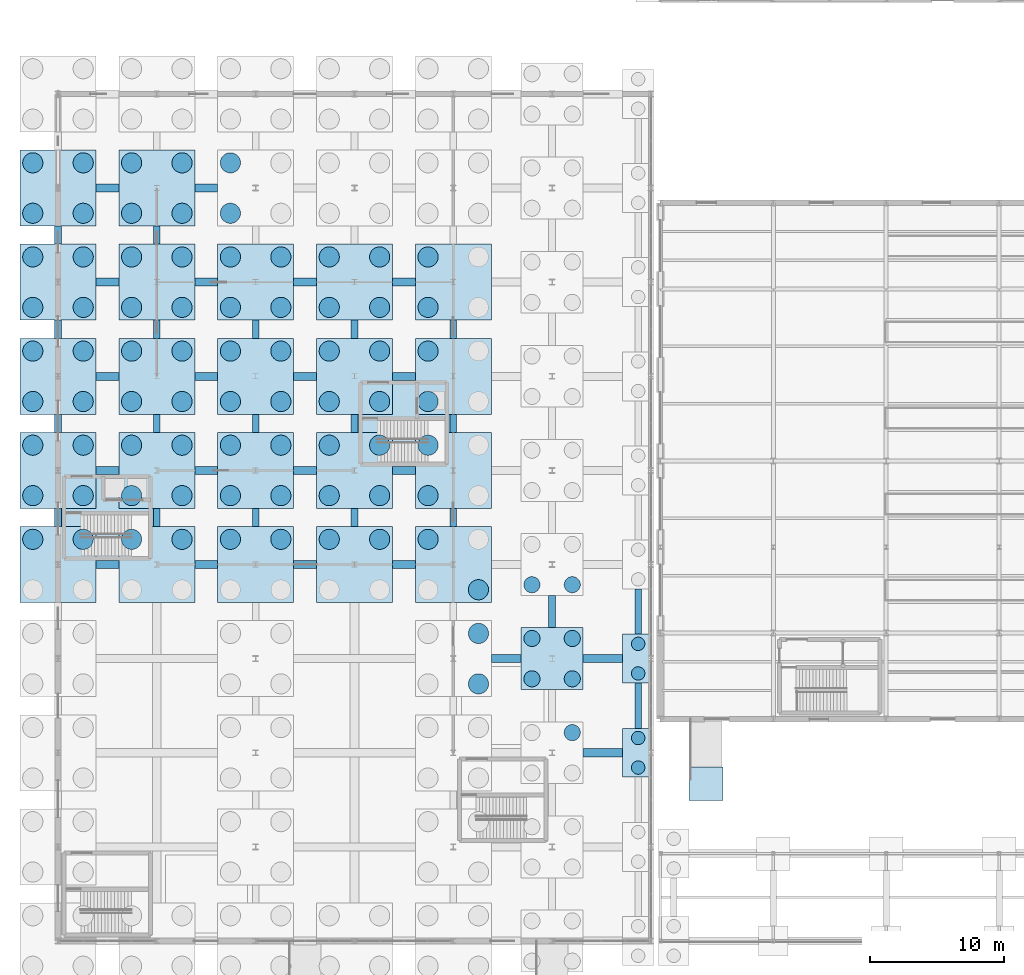
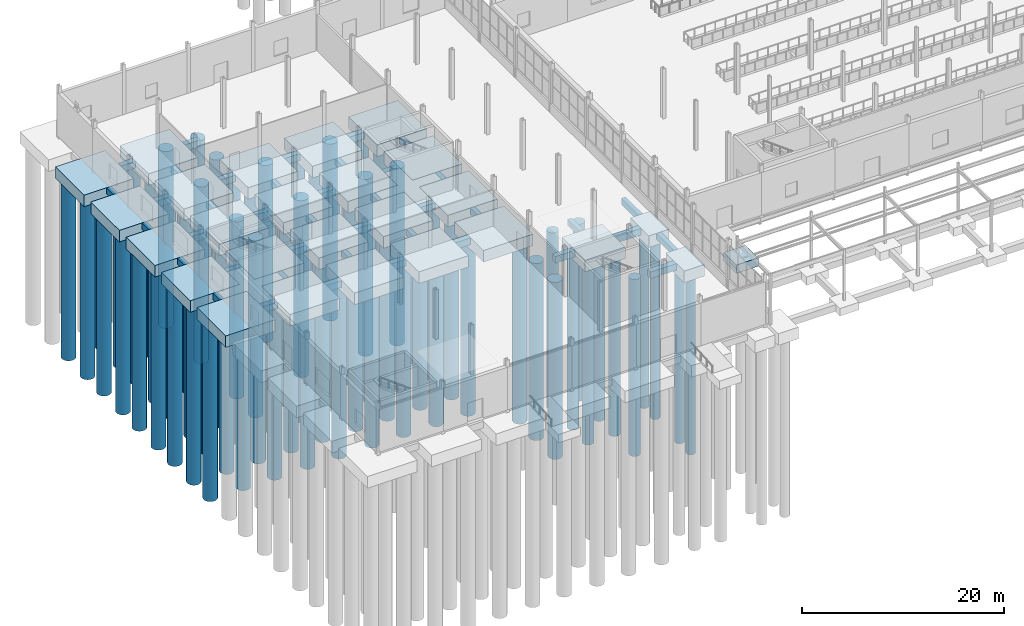
# One storey, part 2 of 139: 87 piles, 69 footings.
"""IFC4 building model written with IfcOpenShell, lengths in metres."""

from ifc_helpers import new_model, si_unit, direction, frame, origin, origin_2d, place, context, subcontext, project, spatial, polyline, rectangle, circle, outline, extrude, material, material_profile, profile_set, type_object, element, save


model = new_model("IFC4")

# Units and contexts
model_context = context("Model", 3, precision=1e-05, world=origin(), true_north=direction((0.0, 1.0)))
body_context = subcontext(model_context, "Body", "Model", "MODEL_VIEW")
ifc_project = project(units=[si_unit("LENGTHUNIT", "METRE"), si_unit("AREAUNIT", "SQUARE_METRE"), si_unit("VOLUMEUNIT", "CUBIC_METRE"), si_unit("PLANEANGLEUNIT", "RADIAN"), si_unit("MASSUNIT", "GRAM", prefix="KILO")], contexts=[model_context])

# Site, building, storey
site_placement = place(None, origin())
site = spatial("IfcSite", under=ifc_project, at=site_placement, CompositionType="ELEMENT")
building_placement = place(site_placement, origin())
building = spatial("IfcBuilding", under=site, at=building_placement, Name="Kazenagashi Tramway Depot", CompositionType="ELEMENT")
storey_placement = place(building_placement, origin())
storey = spatial("IfcBuildingStorey", under=building, at=storey_placement, Name="L01", CompositionType="ELEMENT", Elevation=0.0)

# Piles
ifc_material = material(Name="Concrete Fc30", Category="concrete")
ifc_material_profile_1 = material_profile(ifc_material, circle(Radius=0.5, at=origin_2d()), Name="PILE-1000")
ifc_profile_set_1 = profile_set([ifc_material_profile_1], Name="Concrete Fc30")
pile_type_1 = type_object("IfcPileType", Name="BP-01", PredefinedType="BORED", material=ifc_profile_set_1)
for number, where, z_axis, x_axis, name in (
    (1, (43.15, 12.9, -1.65), (0.0, 0.0, -1.0), (1.0, 0.0, 0.0), "Bored Pile BP-01 PILE-0931"),
    (2, (43.15, 15.1, -1.65), (0.0, 0.0, -1.0), (1.0, 0.0, 0.0), "Bored Pile BP-01 PILE-0932"),
    (3, (43.15, 19.9, -1.65), (0.0, 0.0, -1.0), (1.0, 0.0, 0.0), "Bored Pile BP-01 PILE-0933"),
    (4, (43.15, 22.1, -1.65), (0.0, 0.0, -1.0), (1.0, 0.0, 0.0), "Bored Pile BP-01 PILE-0934"),
):
    element("IfcPile", number, at=place(storey_placement, frame(where, z_axis=z_axis, x_axis=x_axis)), inside=storey, type_object=pile_type_1, Name=name, PredefinedType="BORED", context=body_context, shape_type="SweptSolid", body=[
        extrude(circle(Radius=0.5, at=origin_2d()), origin(), (0.0, 0.0, 1.0), 21.35),
    ])
ifc_material_profile_2 = material_profile(ifc_material, circle(Radius=0.6, at=origin_2d()), Name="PILE-1200")
ifc_profile_set_2 = profile_set([ifc_material_profile_2], Name="Concrete Fc30")
pile_type_2 = type_object("IfcPileType", Name="BP-02", PredefinedType="BORED", material=ifc_profile_set_2)
for number, where, z_axis, x_axis, name in (
    (5, (38.25, 15.5, -1.65), (0.0, 0.0, -1.0), (1.0, 0.0, 0.0), "Bored Pile BP-02 PILE-0898"),
    (6, (35.25, 19.5, -1.65), (0.0, 0.0, -1.0), (1.0, 0.0, 0.0), "Bored Pile BP-02 PILE-0899"),
    (7, (38.25, 19.5, -1.65), (0.0, 0.0, -1.0), (1.0, 0.0, 0.0), "Bored Pile BP-02 PILE-0900"),
    (8, (35.25, 22.5, -1.65), (0.0, 0.0, -1.0), (1.0, 0.0, 0.0), "Bored Pile BP-02 PILE-0901"),
    (9, (38.25, 22.5, -1.65), (0.0, 0.0, -1.0), (1.0, 0.0, 0.0), "Bored Pile BP-02 PILE-0902"),
    (10, (35.25, 26.5, -1.65), (0.0, 0.0, -1.0), (1.0, 0.0, 0.0), "Bored Pile BP-02 PILE-0903"),
    (11, (38.25, 26.5, -1.65), (0.0, 0.0, -1.0), (1.0, 0.0, 0.0), "Bored Pile BP-02 PILE-0904"),
):
    element("IfcPile", number, at=place(storey_placement, frame(where, z_axis=z_axis, x_axis=x_axis)), inside=storey, type_object=pile_type_2, Name=name, PredefinedType="BORED", context=body_context, shape_type="SweptSolid", body=[
        extrude(circle(Radius=0.6, at=origin_2d()), origin(), (0.0, 0.0, 1.0), 21.35),
    ])
ifc_material_profile_3 = material_profile(ifc_material, circle(Radius=0.75, at=origin_2d()), Name="PILE-1500")
ifc_profile_set_3 = profile_set([ifc_material_profile_3], Name="Concrete Fc30")
pile_type_3 = type_object("IfcPileType", Name="BP-03", PredefinedType="BORED", material=ifc_profile_set_3)
for number, where, z_axis, x_axis, name in (
    (12, (-1.875, 29.875, -1.65), (0.0, 0.0, -1.0), (1.0, 0.0, 0.0), "Bored Pile BP-03 PILE-0729"),
    (13, (1.875, 29.875, -1.65), (0.0, 0.0, -1.0), (1.0, 0.0, 0.0), "Bored Pile BP-03 PILE-0730"),
    (14, (-1.875, 33.125, -1.65), (0.0, 0.0, -1.0), (1.0, 0.0, 0.0), "Bored Pile BP-03 PILE-0731"),
    (15, (1.875, 33.125, -1.65), (0.0, 0.0, -1.0), (1.0, 0.0, 0.0), "Bored Pile BP-03 PILE-0732"),
    (16, (-1.875, 36.875, -1.65), (0.0, 0.0, -1.0), (1.0, 0.0, 0.0), "Bored Pile BP-03 PILE-0733"),
    (17, (1.875, 36.875, -1.65), (0.0, 0.0, -1.0), (1.0, 0.0, 0.0), "Bored Pile BP-03 PILE-0734"),
    (18, (-1.875, 40.125, -1.65), (0.0, 0.0, -1.0), (1.0, 0.0, 0.0), "Bored Pile BP-03 PILE-0735"),
    (19, (1.875, 40.125, -1.65), (0.0, 0.0, -1.0), (1.0, 0.0, 0.0), "Bored Pile BP-03 PILE-0736"),
    (20, (-1.875, 43.875, -1.65), (0.0, 0.0, -1.0), (1.0, 0.0, 0.0), "Bored Pile BP-03 PILE-0737"),
    (21, (1.875, 43.875, -1.65), (0.0, 0.0, -1.0), (1.0, 0.0, 0.0), "Bored Pile BP-03 PILE-0738"),
    (22, (-1.875, 47.125, -1.65), (0.0, 0.0, -1.0), (1.0, 0.0, 0.0), "Bored Pile BP-03 PILE-0739"),
    (23, (1.875, 47.125, -1.65), (0.0, 0.0, -1.0), (1.0, 0.0, 0.0), "Bored Pile BP-03 PILE-0740"),
    (24, (-1.875, 50.875, -1.65), (0.0, 0.0, -1.0), (1.0, 0.0, 0.0), "Bored Pile BP-03 PILE-0741"),
    (25, (1.875, 50.875, -1.65), (0.0, 0.0, -1.0), (1.0, 0.0, 0.0), "Bored Pile BP-03 PILE-0742"),
    (26, (-1.875, 54.125, -1.65), (0.0, 0.0, -1.0), (1.0, 0.0, 0.0), "Bored Pile BP-03 PILE-0743"),
    (27, (1.875, 54.125, -1.65), (0.0, 0.0, -1.0), (1.0, 0.0, 0.0), "Bored Pile BP-03 PILE-0744"),
    (28, (-1.875, 57.875, -1.65), (0.0, 0.0, -1.0), (1.0, 0.0, 0.0), "Bored Pile BP-03 PILE-0745"),
    (29, (1.875, 57.875, -1.65), (0.0, 0.0, -1.0), (1.0, 0.0, 0.0), "Bored Pile BP-03 PILE-0746"),
    (30, (5.475, 29.875, -1.65), (0.0, 0.0, -1.0), (1.0, 0.0, 0.0), "Bored Pile BP-03 PILE-0757"),
    (31, (9.225, 29.875, -1.65), (0.0, 0.0, -1.0), (1.0, 0.0, 0.0), "Bored Pile BP-03 PILE-0758"),
    (32, (5.475, 33.125, -1.65), (0.0, 0.0, -1.0), (1.0, 0.0, 0.0), "Bored Pile BP-03 PILE-0759"),
    (33, (9.225, 33.125, -1.65), (0.0, 0.0, -1.0), (1.0, 0.0, 0.0), "Bored Pile BP-03 PILE-0760"),
    (34, (5.475, 36.875, -1.65), (0.0, 0.0, -1.0), (1.0, 0.0, 0.0), "Bored Pile BP-03 PILE-0761"),
    (35, (9.225, 36.875, -1.65), (0.0, 0.0, -1.0), (1.0, 0.0, 0.0), "Bored Pile BP-03 PILE-0762"),
    (36, (5.475, 40.125, -1.65), (0.0, 0.0, -1.0), (1.0, 0.0, 0.0), "Bored Pile BP-03 PILE-0763"),
    (37, (9.225, 40.125, -1.65), (0.0, 0.0, -1.0), (1.0, 0.0, 0.0), "Bored Pile BP-03 PILE-0764"),
    (38, (5.475, 43.875, -1.65), (0.0, 0.0, -1.0), (1.0, 0.0, 0.0), "Bored Pile BP-03 PILE-0765"),
    (39, (9.225, 43.875, -1.65), (0.0, 0.0, -1.0), (1.0, 0.0, 0.0), "Bored Pile BP-03 PILE-0766"),
    (40, (5.475, 47.125, -1.65), (0.0, 0.0, -1.0), (1.0, 0.0, 0.0), "Bored Pile BP-03 PILE-0767"),
    (41, (9.225, 47.125, -1.65), (0.0, 0.0, -1.0), (1.0, 0.0, 0.0), "Bored Pile BP-03 PILE-0768"),
    (42, (5.475, 50.875, -1.65), (0.0, 0.0, -1.0), (1.0, 0.0, 0.0), "Bored Pile BP-03 PILE-0769"),
    (43, (9.225, 50.875, -1.65), (0.0, 0.0, -1.0), (1.0, 0.0, 0.0), "Bored Pile BP-03 PILE-0770"),
    (44, (5.475, 54.125, -1.65), (0.0, 0.0, -1.0), (1.0, 0.0, 0.0), "Bored Pile BP-03 PILE-0771"),
    (45, (9.225, 54.125, -1.65), (0.0, 0.0, -1.0), (1.0, 0.0, 0.0), "Bored Pile BP-03 PILE-0772"),
    (46, (5.475, 57.875, -1.65), (0.0, 0.0, -1.0), (1.0, 0.0, 0.0), "Bored Pile BP-03 PILE-0773"),
    (47, (9.225, 57.875, -1.65), (0.0, 0.0, -1.0), (1.0, 0.0, 0.0), "Bored Pile BP-03 PILE-0774"),
    (48, (12.825, 29.875, -1.65), (0.0, 0.0, -1.0), (1.0, 0.0, 0.0), "Bored Pile BP-03 PILE-0797"),
    (49, (16.575, 29.875, -1.65), (0.0, 0.0, -1.0), (1.0, 0.0, 0.0), "Bored Pile BP-03 PILE-0798"),
    (50, (12.825, 33.125, -1.65), (0.0, 0.0, -1.0), (1.0, 0.0, 0.0), "Bored Pile BP-03 PILE-0799"),
    (51, (16.575, 33.125, -1.65), (0.0, 0.0, -1.0), (1.0, 0.0, 0.0), "Bored Pile BP-03 PILE-0800"),
    (52, (12.825, 36.875, -1.65), (0.0, 0.0, -1.0), (1.0, 0.0, 0.0), "Bored Pile BP-03 PILE-0801"),
    (53, (16.575, 36.875, -1.65), (0.0, 0.0, -1.0), (1.0, 0.0, 0.0), "Bored Pile BP-03 PILE-0802"),
    (54, (12.825, 40.125, -1.65), (0.0, 0.0, -1.0), (1.0, 0.0, 0.0), "Bored Pile BP-03 PILE-0803"),
    (55, (16.575, 40.125, -1.65), (0.0, 0.0, -1.0), (1.0, 0.0, 0.0), "Bored Pile BP-03 PILE-0804"),
    (56, (12.825, 43.875, -1.65), (0.0, 0.0, -1.0), (1.0, 0.0, 0.0), "Bored Pile BP-03 PILE-0805"),
    (57, (16.575, 43.875, -1.65), (0.0, 0.0, -1.0), (1.0, 0.0, 0.0), "Bored Pile BP-03 PILE-0806"),
    (58, (12.825, 47.125, -1.65), (0.0, 0.0, -1.0), (1.0, 0.0, 0.0), "Bored Pile BP-03 PILE-0807"),
    (59, (16.575, 47.125, -1.65), (0.0, 0.0, -1.0), (1.0, 0.0, 0.0), "Bored Pile BP-03 PILE-0808"),
    (60, (12.825, 50.875, -1.65), (0.0, 0.0, -1.0), (1.0, 0.0, 0.0), "Bored Pile BP-03 PILE-0809"),
    (61, (16.575, 50.875, -1.65), (0.0, 0.0, -1.0), (1.0, 0.0, 0.0), "Bored Pile BP-03 PILE-0810"),
    (62, (12.825, 54.125, -1.65), (0.0, 0.0, -1.0), (1.0, 0.0, 0.0), "Bored Pile BP-03 PILE-0811"),
    (63, (12.825, 57.875, -1.65), (0.0, 0.0, -1.0), (1.0, 0.0, 0.0), "Bored Pile BP-03 PILE-0813"),
    (64, (20.175, 29.875, -1.65), (0.0, 0.0, -1.0), (1.0, 0.0, 0.0), "Bored Pile BP-03 PILE-0825"),
    (65, (23.925, 29.875, -1.65), (0.0, 0.0, -1.0), (1.0, 0.0, 0.0), "Bored Pile BP-03 PILE-0826"),
    (66, (20.175, 33.125, -1.65), (0.0, 0.0, -1.0), (1.0, 0.0, 0.0), "Bored Pile BP-03 PILE-0827"),
    (67, (23.925, 33.125, -1.65), (0.0, 0.0, -1.0), (1.0, 0.0, 0.0), "Bored Pile BP-03 PILE-0828"),
    (68, (20.175, 36.875, -1.65), (0.0, 0.0, -1.0), (1.0, 0.0, 0.0), "Bored Pile BP-03 PILE-0829"),
    (69, (23.925, 36.875, -1.65), (0.0, 0.0, -1.0), (1.0, 0.0, 0.0), "Bored Pile BP-03 PILE-0830"),
    (70, (20.175, 40.125, -1.65), (0.0, 0.0, -1.0), (1.0, 0.0, 0.0), "Bored Pile BP-03 PILE-0831"),
    (71, (23.925, 40.125, -1.65), (0.0, 0.0, -1.0), (1.0, 0.0, 0.0), "Bored Pile BP-03 PILE-0832"),
    (72, (20.175, 43.875, -1.65), (0.0, 0.0, -1.0), (1.0, 0.0, 0.0), "Bored Pile BP-03 PILE-0833"),
    (73, (23.925, 43.875, -1.65), (0.0, 0.0, -1.0), (1.0, 0.0, 0.0), "Bored Pile BP-03 PILE-0834"),
    (74, (20.175, 47.125, -1.65), (0.0, 0.0, -1.0), (1.0, 0.0, 0.0), "Bored Pile BP-03 PILE-0835"),
    (75, (23.925, 47.125, -1.65), (0.0, 0.0, -1.0), (1.0, 0.0, 0.0), "Bored Pile BP-03 PILE-0836"),
    (76, (20.175, 50.875, -1.65), (0.0, 0.0, -1.0), (1.0, 0.0, 0.0), "Bored Pile BP-03 PILE-0837"),
    (77, (23.925, 50.875, -1.65), (0.0, 0.0, -1.0), (1.0, 0.0, 0.0), "Bored Pile BP-03 PILE-0838"),
    (78, (31.275, 19.125, -1.65), (0.0, 0.0, -1.0), (1.0, 0.0, 0.0), "Bored Pile BP-03 PILE-0860"),
    (79, (31.275, 22.875, -1.65), (0.0, 0.0, -1.0), (1.0, 0.0, 0.0), "Bored Pile BP-03 PILE-0862"),
    (80, (31.275, 26.125, -1.65), (0.0, 0.0, -1.0), (1.0, 0.0, 0.0), "Bored Pile BP-03 PILE-0864"),
    (81, (27.525, 29.875, -1.65), (0.0, 0.0, -1.0), (1.0, 0.0, 0.0), "Bored Pile BP-03 PILE-0865"),
    (82, (27.525, 33.125, -1.65), (0.0, 0.0, -1.0), (1.0, 0.0, 0.0), "Bored Pile BP-03 PILE-0867"),
    (83, (27.525, 36.875, -1.65), (0.0, 0.0, -1.0), (1.0, 0.0, 0.0), "Bored Pile BP-03 PILE-0869"),
    (84, (27.525, 40.125, -1.65), (0.0, 0.0, -1.0), (1.0, 0.0, 0.0), "Bored Pile BP-03 PILE-0871"),
    (85, (27.525, 43.875, -1.65), (0.0, 0.0, -1.0), (1.0, 0.0, 0.0), "Bored Pile BP-03 PILE-0873"),
    (86, (27.525, 47.125, -1.65), (0.0, 0.0, -1.0), (1.0, 0.0, 0.0), "Bored Pile BP-03 PILE-0875"),
    (87, (27.525, 50.875, -1.65), (0.0, 0.0, -1.0), (1.0, 0.0, 0.0), "Bored Pile BP-03 PILE-0877"),
):
    element("IfcPile", number, at=place(storey_placement, frame(where, z_axis=z_axis, x_axis=x_axis)), inside=storey, type_object=pile_type_3, Name=name, PredefinedType="BORED", context=body_context, shape_type="SweptSolid", body=[
        extrude(circle(Radius=0.75, at=origin_2d()), origin(), (0.0, 0.0, 1.0), 21.35),
    ])

# Footings
footing_type_1 = type_object("IfcFootingType", Name="FB-01", PredefinedType="FOOTING_BEAM", material=ifc_material)
footing_1_placement = place(storey_placement, frame((0.0, 0.0, -1.15)))
element("IfcFooting", 88, at=footing_1_placement, inside=storey, type_object=footing_type_1, Name="Footing Tie Beam FB-0052", PredefinedType="FOOTING_BEAM", context=body_context, shape_type="SweptSolid", body=[
    extrude(outline(polyline([(39.05, 13.7), (42.0, 13.7), (42.0, 14.3), (39.05, 14.3), (39.05, 13.7)])), origin(), (0.0, 0.0, 1.0), 0.8),
])
footing_2_placement = place(storey_placement, frame((0.0, 0.0, -1.15)))
element("IfcFooting", 89, at=footing_2_placement, inside=storey, type_object=footing_type_1, Name="Footing Tie Beam FB-0065", PredefinedType="FOOTING_BEAM", context=body_context, shape_type="SweptSolid", body=[
    extrude(outline(polyline([(32.225, 20.7), (34.45, 20.7), (34.45, 21.3), (32.225, 21.3), (32.225, 20.7)])), origin(), (0.0, 0.0, 1.0), 0.8),
])
footing_3_placement = place(storey_placement, frame((0.0, 0.0, -1.15)))
element("IfcFooting", 90, at=footing_3_placement, inside=storey, type_object=footing_type_1, Name="Footing Tie Beam FB-0066", PredefinedType="FOOTING_BEAM", context=body_context, shape_type="SweptSolid", body=[
    extrude(outline(polyline([(39.05, 20.7), (42.0, 20.7), (42.0, 21.3), (39.05, 21.3), (39.05, 20.7)])), origin(), (0.0, 0.0, 1.0), 0.8),
])
footing_4_placement = place(storey_placement, frame((0.0, 0.0, -1.15)))
element("IfcFooting", 91, at=footing_4_placement, inside=storey, type_object=footing_type_1, Name="Footing Tie Beam FB-0072", PredefinedType="FOOTING_BEAM", context=body_context, shape_type="SweptSolid", body=[
    extrude(outline(polyline([(2.825, 27.7), (4.525, 27.7), (4.525, 28.3), (2.825, 28.3), (2.825, 27.7)])), origin(), (0.0, 0.0, 1.0), 0.8),
])
footing_5_placement = place(storey_placement, frame((0.0, 0.0, -1.15)))
element("IfcFooting", 92, at=footing_5_placement, inside=storey, type_object=footing_type_1, Name="Footing Tie Beam FB-0073", PredefinedType="FOOTING_BEAM", context=body_context, shape_type="SweptSolid", body=[
    extrude(outline(polyline([(10.175, 27.7), (11.875, 27.7), (11.875, 28.3), (10.175, 28.3), (10.175, 27.7)])), origin(), (0.0, 0.0, 1.0), 0.8),
])
footing_6_placement = place(storey_placement, frame((0.0, 0.0, -1.15)))
element("IfcFooting", 93, at=footing_6_placement, inside=storey, type_object=footing_type_1, Name="Footing Tie Beam FB-0074", PredefinedType="FOOTING_BEAM", context=body_context, shape_type="SweptSolid", body=[
    extrude(outline(polyline([(17.525, 27.7), (19.225, 27.7), (19.225, 28.3), (17.525, 28.3), (17.525, 27.7)])), origin(), (0.0, 0.0, 1.0), 0.8),
])
footing_7_placement = place(storey_placement, frame((0.0, 0.0, -1.15)))
element("IfcFooting", 94, at=footing_7_placement, inside=storey, type_object=footing_type_1, Name="Footing Tie Beam FB-0075", PredefinedType="FOOTING_BEAM", context=body_context, shape_type="SweptSolid", body=[
    extrude(outline(polyline([(24.875, 27.7), (26.575, 27.7), (26.575, 28.3), (24.875, 28.3), (24.875, 27.7)])), origin(), (0.0, 0.0, 1.0), 0.8),
])
footing_8_placement = place(storey_placement, frame((0.0, 0.0, -1.15)))
element("IfcFooting", 95, at=footing_8_placement, inside=storey, type_object=footing_type_1, Name="Footing Tie Beam FB-0083", PredefinedType="FOOTING_BEAM", context=body_context, shape_type="SweptSolid", body=[
    extrude(outline(polyline([(2.825, 34.7), (4.525, 34.7), (4.525, 35.3), (2.825, 35.3), (2.825, 34.7)])), origin(), (0.0, 0.0, 1.0), 0.8),
])
footing_9_placement = place(storey_placement, frame((0.0, 0.0, -1.15)))
element("IfcFooting", 96, at=footing_9_placement, inside=storey, type_object=footing_type_1, Name="Footing Tie Beam FB-0084", PredefinedType="FOOTING_BEAM", context=body_context, shape_type="SweptSolid", body=[
    extrude(outline(polyline([(10.175, 34.7), (11.875, 34.7), (11.875, 35.3), (10.175, 35.3), (10.175, 34.7)])), origin(), (0.0, 0.0, 1.0), 0.8),
])
footing_10_placement = place(storey_placement, frame((0.0, 0.0, -1.15)))
element("IfcFooting", 97, at=footing_10_placement, inside=storey, type_object=footing_type_1, Name="Footing Tie Beam FB-0085", PredefinedType="FOOTING_BEAM", context=body_context, shape_type="SweptSolid", body=[
    extrude(outline(polyline([(17.525, 34.7), (19.225, 34.7), (19.225, 35.3), (17.525, 35.3), (17.525, 34.7)])), origin(), (0.0, 0.0, 1.0), 0.8),
])
footing_11_placement = place(storey_placement, frame((0.0, 0.0, -1.15)))
element("IfcFooting", 98, at=footing_11_placement, inside=storey, type_object=footing_type_1, Name="Footing Tie Beam FB-0086", PredefinedType="FOOTING_BEAM", context=body_context, shape_type="SweptSolid", body=[
    extrude(outline(polyline([(24.875, 34.7), (26.575, 34.7), (26.575, 35.3), (24.875, 35.3), (24.875, 34.7)])), origin(), (0.0, 0.0, 1.0), 0.8),
])
footing_12_placement = place(storey_placement, frame((0.0, 0.0, -1.15)))
element("IfcFooting", 99, at=footing_12_placement, inside=storey, type_object=footing_type_1, Name="Footing Tie Beam FB-0094", PredefinedType="FOOTING_BEAM", context=body_context, shape_type="SweptSolid", body=[
    extrude(outline(polyline([(2.825, 41.7), (4.525, 41.7), (4.525, 42.3), (2.825, 42.3), (2.825, 41.7)])), origin(), (0.0, 0.0, 1.0), 0.8),
])
footing_13_placement = place(storey_placement, frame((0.0, 0.0, -1.15)))
element("IfcFooting", 100, at=footing_13_placement, inside=storey, type_object=footing_type_1, Name="Footing Tie Beam FB-0095", PredefinedType="FOOTING_BEAM", context=body_context, shape_type="SweptSolid", body=[
    extrude(outline(polyline([(10.175, 41.7), (11.875, 41.7), (11.875, 42.3), (10.175, 42.3), (10.175, 41.7)])), origin(), (0.0, 0.0, 1.0), 0.8),
])
footing_14_placement = place(storey_placement, frame((0.0, 0.0, -1.15)))
element("IfcFooting", 101, at=footing_14_placement, inside=storey, type_object=footing_type_1, Name="Footing Tie Beam FB-0096", PredefinedType="FOOTING_BEAM", context=body_context, shape_type="SweptSolid", body=[
    extrude(outline(polyline([(17.525, 41.7), (19.225, 41.7), (19.225, 42.3), (17.525, 42.3), (17.525, 41.7)])), origin(), (0.0, 0.0, 1.0), 0.8),
])
footing_15_placement = place(storey_placement, frame((0.0, 0.0, -1.15)))
element("IfcFooting", 102, at=footing_15_placement, inside=storey, type_object=footing_type_1, Name="Footing Tie Beam FB-0097", PredefinedType="FOOTING_BEAM", context=body_context, shape_type="SweptSolid", body=[
    extrude(outline(polyline([(24.875, 41.7), (26.575, 41.7), (26.575, 42.3), (24.875, 42.3), (24.875, 41.7)])), origin(), (0.0, 0.0, 1.0), 0.8),
])
footing_16_placement = place(storey_placement, frame((0.0, 0.0, -1.15)))
element("IfcFooting", 103, at=footing_16_placement, inside=storey, type_object=footing_type_1, Name="Footing Tie Beam FB-0105", PredefinedType="FOOTING_BEAM", context=body_context, shape_type="SweptSolid", body=[
    extrude(outline(polyline([(2.825, 48.7), (4.525, 48.7), (4.525, 49.3), (2.825, 49.3), (2.825, 48.7)])), origin(), (0.0, 0.0, 1.0), 0.8),
])
footing_17_placement = place(storey_placement, frame((0.0, 0.0, -1.15)))
element("IfcFooting", 104, at=footing_17_placement, inside=storey, type_object=footing_type_1, Name="Footing Tie Beam FB-0106", PredefinedType="FOOTING_BEAM", context=body_context, shape_type="SweptSolid", body=[
    extrude(outline(polyline([(10.175, 48.7), (11.875, 48.7), (11.875, 49.3), (10.175, 49.3), (10.175, 48.7)])), origin(), (0.0, 0.0, 1.0), 0.8),
])
footing_18_placement = place(storey_placement, frame((0.0, 0.0, -1.15)))
element("IfcFooting", 105, at=footing_18_placement, inside=storey, type_object=footing_type_1, Name="Footing Tie Beam FB-0107", PredefinedType="FOOTING_BEAM", context=body_context, shape_type="SweptSolid", body=[
    extrude(outline(polyline([(17.525, 48.7), (19.225, 48.7), (19.225, 49.3), (17.525, 49.3), (17.525, 48.7)])), origin(), (0.0, 0.0, 1.0), 0.8),
])
footing_19_placement = place(storey_placement, frame((0.0, 0.0, -1.15)))
element("IfcFooting", 106, at=footing_19_placement, inside=storey, type_object=footing_type_1, Name="Footing Tie Beam FB-0108", PredefinedType="FOOTING_BEAM", context=body_context, shape_type="SweptSolid", body=[
    extrude(outline(polyline([(24.875, 48.7), (26.575, 48.7), (26.575, 49.3), (24.875, 49.3), (24.875, 48.7)])), origin(), (0.0, 0.0, 1.0), 0.8),
])
footing_20_placement = place(storey_placement, frame((0.0, 0.0, -1.15)))
element("IfcFooting", 107, at=footing_20_placement, inside=storey, type_object=footing_type_1, Name="Footing Tie Beam FB-0116", PredefinedType="FOOTING_BEAM", context=body_context, shape_type="SweptSolid", body=[
    extrude(outline(polyline([(2.825, 55.7), (4.525, 55.7), (4.525, 56.3), (2.825, 56.3), (2.825, 55.7)])), origin(), (0.0, 0.0, 1.0), 0.8),
])
footing_21_placement = place(storey_placement, frame((0.0, 0.0, -1.15)))
element("IfcFooting", 108, at=footing_21_placement, inside=storey, type_object=footing_type_1, Name="Footing Tie Beam FB-0117", PredefinedType="FOOTING_BEAM", context=body_context, shape_type="SweptSolid", body=[
    extrude(outline(polyline([(10.175, 55.7), (11.875, 55.7), (11.875, 56.3), (10.175, 56.3), (10.175, 55.7)])), origin(), (0.0, 0.0, 1.0), 0.8),
])
footing_type_2 = type_object("IfcFootingType", Name="FB-03", PredefinedType="FOOTING_BEAM", material=ifc_material)
footing_22_placement = place(storey_placement, frame((0.0, 0.0, -1.1)))
element("IfcFooting", 109, at=footing_22_placement, inside=storey, type_object=footing_type_2, Name="Footing Tie Beam FB-0225", PredefinedType="FOOTING_BEAM", context=body_context, shape_type="SweptSolid", body=[
    extrude(outline(polyline([(-0.25, 30.825), (0.25, 30.825), (0.25, 32.175), (-0.25, 32.175), (-0.25, 30.825)])), origin(), (0.0, 0.0, 1.0), 0.75),
])
footing_23_placement = place(storey_placement, frame((0.0, 0.0, -1.1)))
element("IfcFooting", 110, at=footing_23_placement, inside=storey, type_object=footing_type_2, Name="Footing Tie Beam FB-0226", PredefinedType="FOOTING_BEAM", context=body_context, shape_type="SweptSolid", body=[
    extrude(outline(polyline([(-0.25, 37.825), (0.25, 37.825), (0.25, 39.175), (-0.25, 39.175), (-0.25, 37.825)])), origin(), (0.0, 0.0, 1.0), 0.75),
])
footing_24_placement = place(storey_placement, frame((0.0, 0.0, -1.1)))
element("IfcFooting", 111, at=footing_24_placement, inside=storey, type_object=footing_type_2, Name="Footing Tie Beam FB-0227", PredefinedType="FOOTING_BEAM", context=body_context, shape_type="SweptSolid", body=[
    extrude(outline(polyline([(-0.25, 44.825), (0.25, 44.825), (0.25, 46.175), (-0.25, 46.175), (-0.25, 44.825)])), origin(), (0.0, 0.0, 1.0), 0.75),
])
footing_25_placement = place(storey_placement, frame((0.0, 0.0, -1.1)))
element("IfcFooting", 112, at=footing_25_placement, inside=storey, type_object=footing_type_2, Name="Footing Tie Beam FB-0228", PredefinedType="FOOTING_BEAM", context=body_context, shape_type="SweptSolid", body=[
    extrude(outline(polyline([(-0.25, 51.825), (0.25, 51.825), (0.25, 53.175), (-0.25, 53.175), (-0.25, 51.825)])), origin(), (0.0, 0.0, 1.0), 0.75),
])
footing_26_placement = place(storey_placement, frame((0.0, 0.0, -1.1)))
element("IfcFooting", 113, at=footing_26_placement, inside=storey, type_object=footing_type_2, Name="Footing Tie Beam FB-0231", PredefinedType="FOOTING_BEAM", context=body_context, shape_type="SweptSolid", body=[
    extrude(outline(polyline([(7.1, 30.825), (7.6, 30.825), (7.6, 32.175), (7.1, 32.175), (7.1, 30.825)])), origin(), (0.0, 0.0, 1.0), 0.75),
])
footing_27_placement = place(storey_placement, frame((0.0, 0.0, -1.1)))
element("IfcFooting", 114, at=footing_27_placement, inside=storey, type_object=footing_type_2, Name="Footing Tie Beam FB-0232", PredefinedType="FOOTING_BEAM", context=body_context, shape_type="SweptSolid", body=[
    extrude(outline(polyline([(7.1, 37.825), (7.6, 37.825), (7.6, 39.175), (7.1, 39.175), (7.1, 37.825)])), origin(), (0.0, 0.0, 1.0), 0.75),
])
footing_28_placement = place(storey_placement, frame((0.0, 0.0, -1.1)))
element("IfcFooting", 115, at=footing_28_placement, inside=storey, type_object=footing_type_2, Name="Footing Tie Beam FB-0233", PredefinedType="FOOTING_BEAM", context=body_context, shape_type="SweptSolid", body=[
    extrude(outline(polyline([(7.1, 44.825), (7.6, 44.825), (7.6, 46.175), (7.1, 46.175), (7.1, 44.825)])), origin(), (0.0, 0.0, 1.0), 0.75),
])
footing_29_placement = place(storey_placement, frame((0.0, 0.0, -1.1)))
element("IfcFooting", 116, at=footing_29_placement, inside=storey, type_object=footing_type_2, Name="Footing Tie Beam FB-0234", PredefinedType="FOOTING_BEAM", context=body_context, shape_type="SweptSolid", body=[
    extrude(outline(polyline([(7.1, 51.825), (7.6, 51.825), (7.6, 53.175), (7.1, 53.175), (7.1, 51.825)])), origin(), (0.0, 0.0, 1.0), 0.75),
])
footing_30_placement = place(storey_placement, frame((0.0, 0.0, -1.1)))
element("IfcFooting", 117, at=footing_30_placement, inside=storey, type_object=footing_type_2, Name="Footing Tie Beam FB-0240", PredefinedType="FOOTING_BEAM", context=body_context, shape_type="SweptSolid", body=[
    extrude(outline(polyline([(14.45, 30.825), (14.95, 30.825), (14.95, 32.175), (14.45, 32.175), (14.45, 30.825)])), origin(), (0.0, 0.0, 1.0), 0.75),
])
footing_31_placement = place(storey_placement, frame((0.0, 0.0, -1.1)))
element("IfcFooting", 118, at=footing_31_placement, inside=storey, type_object=footing_type_2, Name="Footing Tie Beam FB-0241", PredefinedType="FOOTING_BEAM", context=body_context, shape_type="SweptSolid", body=[
    extrude(outline(polyline([(14.45, 37.825), (14.95, 37.825), (14.95, 39.175), (14.45, 39.175), (14.45, 37.825)])), origin(), (0.0, 0.0, 1.0), 0.75),
])
footing_32_placement = place(storey_placement, frame((0.0, 0.0, -1.1)))
element("IfcFooting", 119, at=footing_32_placement, inside=storey, type_object=footing_type_2, Name="Footing Tie Beam FB-0242", PredefinedType="FOOTING_BEAM", context=body_context, shape_type="SweptSolid", body=[
    extrude(outline(polyline([(14.45, 44.825), (14.95, 44.825), (14.95, 46.175), (14.45, 46.175), (14.45, 44.825)])), origin(), (0.0, 0.0, 1.0), 0.75),
])
footing_33_placement = place(storey_placement, frame((0.0, 0.0, -1.1)))
element("IfcFooting", 120, at=footing_33_placement, inside=storey, type_object=footing_type_2, Name="Footing Tie Beam FB-0246", PredefinedType="FOOTING_BEAM", context=body_context, shape_type="SweptSolid", body=[
    extrude(outline(polyline([(21.8, 30.825), (22.3, 30.825), (22.3, 32.175), (21.8, 32.175), (21.8, 30.825)])), origin(), (0.0, 0.0, 1.0), 0.75),
])
footing_34_placement = place(storey_placement, frame((0.0, 0.0, -1.1)))
element("IfcFooting", 121, at=footing_34_placement, inside=storey, type_object=footing_type_2, Name="Footing Tie Beam FB-0247", PredefinedType="FOOTING_BEAM", context=body_context, shape_type="SweptSolid", body=[
    extrude(outline(polyline([(21.8, 37.825), (22.3, 37.825), (22.3, 39.175), (21.8, 39.175), (21.8, 37.825)])), origin(), (0.0, 0.0, 1.0), 0.75),
])
footing_35_placement = place(storey_placement, frame((0.0, 0.0, -1.1)))
element("IfcFooting", 122, at=footing_35_placement, inside=storey, type_object=footing_type_2, Name="Footing Tie Beam FB-0248", PredefinedType="FOOTING_BEAM", context=body_context, shape_type="SweptSolid", body=[
    extrude(outline(polyline([(21.8, 44.825), (22.3, 44.825), (22.3, 46.175), (21.8, 46.175), (21.8, 44.825)])), origin(), (0.0, 0.0, 1.0), 0.75),
])
footing_36_placement = place(storey_placement, frame((0.0, 0.0, -1.1)))
element("IfcFooting", 123, at=footing_36_placement, inside=storey, type_object=footing_type_2, Name="Footing Tie Beam FB-0255", PredefinedType="FOOTING_BEAM", context=body_context, shape_type="SweptSolid", body=[
    extrude(outline(polyline([(29.15, 30.825), (29.65, 30.825), (29.65, 32.175), (29.15, 32.175), (29.15, 30.825)])), origin(), (0.0, 0.0, 1.0), 0.75),
])
footing_37_placement = place(storey_placement, frame((0.0, 0.0, -1.1)))
element("IfcFooting", 124, at=footing_37_placement, inside=storey, type_object=footing_type_2, Name="Footing Tie Beam FB-0256", PredefinedType="FOOTING_BEAM", context=body_context, shape_type="SweptSolid", body=[
    extrude(outline(polyline([(29.15, 37.825), (29.65, 37.825), (29.65, 39.175), (29.15, 39.175), (29.15, 37.825)])), origin(), (0.0, 0.0, 1.0), 0.75),
])
footing_38_placement = place(storey_placement, frame((0.0, 0.0, -1.1)))
element("IfcFooting", 125, at=footing_38_placement, inside=storey, type_object=footing_type_2, Name="Footing Tie Beam FB-0257", PredefinedType="FOOTING_BEAM", context=body_context, shape_type="SweptSolid", body=[
    extrude(outline(polyline([(29.15, 44.825), (29.65, 44.825), (29.65, 46.175), (29.15, 46.175), (29.15, 44.825)])), origin(), (0.0, 0.0, 1.0), 0.75),
])
footing_39_placement = place(storey_placement, frame((0.0, 0.0, -1.1)))
element("IfcFooting", 126, at=footing_39_placement, inside=storey, type_object=footing_type_2, Name="Footing Tie Beam FB-0263", PredefinedType="FOOTING_BEAM", context=body_context, shape_type="SweptSolid", body=[
    extrude(outline(polyline([(36.5, 23.3), (37.0, 23.3), (37.0, 25.7), (36.5, 25.7), (36.5, 23.3)])), origin(), (0.0, 0.0, 1.0), 0.75),
])
footing_40_placement = place(storey_placement, frame((0.0, 0.0, -1.1)))
element("IfcFooting", 127, at=footing_40_placement, inside=storey, type_object=footing_type_2, Name="Footing Tie Beam FB-0271", PredefinedType="FOOTING_BEAM", context=body_context, shape_type="SweptSolid", body=[
    extrude(outline(polyline([(42.9, 15.82), (43.4, 15.82), (43.4, 19.18), (42.9, 19.18), (42.9, 15.82)])), origin(), (0.0, 0.0, 1.0), 0.75),
])
footing_41_placement = place(storey_placement, frame((0.0, 0.0, -1.1)))
element("IfcFooting", 128, at=footing_41_placement, inside=storey, type_object=footing_type_2, Name="Footing Tie Beam FB-0272", PredefinedType="FOOTING_BEAM", context=body_context, shape_type="SweptSolid", body=[
    extrude(outline(polyline([(42.9, 22.82), (43.4, 22.82), (43.4, 26.18), (42.9, 26.18), (42.9, 22.82)])), origin(), (0.0, 0.0, 1.0), 0.75),
])
footing_type_3 = type_object("IfcFootingType", Name="PC-04", PredefinedType="PILE_CAP", material=ifc_material)
footing_42_placement = place(storey_placement, frame((36.75, 21.0, -1.75), z_axis=(0.0, 0.0, 1.0), x_axis=(1.0, 0.0, 0.0)))
element("IfcFooting", 129, at=footing_42_placement, inside=storey, type_object=footing_type_3, Name="Pile Cap PC-04 CAP-277", PredefinedType="PILE_CAP", context=body_context, shape_type="SweptSolid", body=[
    extrude(rectangle(XDim=4.6, YDim=4.6, at=origin_2d()), origin(), (0.0, 0.0, 1.0), 1.4),
])
footing_type_4 = type_object("IfcFootingType", Name="PC-05", PredefinedType="PILE_CAP", material=ifc_material)
for number, where, z_axis, x_axis, name in (
    (130, (0.0, 28.0, -1.75), (0.0, 0.0, 1.0), (1.0, 0.0, 0.0), "Pile Cap PC-05 CAP-234"),
    (131, (0.0, 35.0, -1.75), (0.0, 0.0, 1.0), (1.0, 0.0, 0.0), "Pile Cap PC-05 CAP-235"),
    (132, (0.0, 42.0, -1.75), (0.0, 0.0, 1.0), (1.0, 0.0, 0.0), "Pile Cap PC-05 CAP-236"),
    (133, (0.0, 49.0, -1.75), (0.0, 0.0, 1.0), (1.0, 0.0, 0.0), "Pile Cap PC-05 CAP-237"),
    (134, (0.0, 56.0, -1.75), (0.0, 0.0, 1.0), (1.0, 0.0, 0.0), "Pile Cap PC-05 CAP-238"),
    (135, (7.35, 28.0, -1.75), (0.0, 0.0, 1.0), (1.0, 0.0, 0.0), "Pile Cap PC-05 CAP-241"),
    (136, (7.35, 35.0, -1.75), (0.0, 0.0, 1.0), (1.0, 0.0, 0.0), "Pile Cap PC-05 CAP-242"),
    (137, (7.35, 42.0, -1.75), (0.0, 0.0, 1.0), (1.0, 0.0, 0.0), "Pile Cap PC-05 CAP-243"),
    (138, (7.35, 49.0, -1.75), (0.0, 0.0, 1.0), (1.0, 0.0, 0.0), "Pile Cap PC-05 CAP-244"),
    (139, (7.35, 56.0, -1.75), (0.0, 0.0, 1.0), (1.0, 0.0, 0.0), "Pile Cap PC-05 CAP-245"),
    (140, (14.7, 28.0, -1.75), (0.0, 0.0, 1.0), (1.0, 0.0, 0.0), "Pile Cap PC-05 CAP-251"),
    (141, (14.7, 35.0, -1.75), (0.0, 0.0, 1.0), (1.0, 0.0, 0.0), "Pile Cap PC-05 CAP-252"),
    (142, (14.7, 42.0, -1.75), (0.0, 0.0, 1.0), (1.0, 0.0, 0.0), "Pile Cap PC-05 CAP-253"),
    (143, (14.7, 49.0, -1.75), (0.0, 0.0, 1.0), (1.0, 0.0, 0.0), "Pile Cap PC-05 CAP-254"),
    (144, (22.05, 28.0, -1.75), (0.0, 0.0, 1.0), (1.0, 0.0, 0.0), "Pile Cap PC-05 CAP-258"),
    (145, (22.05, 35.0, -1.75), (0.0, 0.0, 1.0), (1.0, 0.0, 0.0), "Pile Cap PC-05 CAP-259"),
    (146, (22.05, 42.0, -1.75), (0.0, 0.0, 1.0), (1.0, 0.0, 0.0), "Pile Cap PC-05 CAP-260"),
    (147, (22.05, 49.0, -1.75), (0.0, 0.0, 1.0), (1.0, 0.0, 0.0), "Pile Cap PC-05 CAP-261"),
    (148, (29.4, 28.0, -1.75), (0.0, 0.0, 1.0), (1.0, 0.0, 0.0), "Pile Cap PC-05 CAP-268"),
    (149, (29.4, 35.0, -1.75), (0.0, 0.0, 1.0), (1.0, 0.0, 0.0), "Pile Cap PC-05 CAP-269"),
    (150, (29.4, 42.0, -1.75), (0.0, 0.0, 1.0), (1.0, 0.0, 0.0), "Pile Cap PC-05 CAP-270"),
    (151, (29.4, 49.0, -1.75), (0.0, 0.0, 1.0), (1.0, 0.0, 0.0), "Pile Cap PC-05 CAP-271"),
):
    element("IfcFooting", number, at=place(storey_placement, frame(where, z_axis=z_axis, x_axis=x_axis)), inside=storey, type_object=footing_type_4, Name=name, PredefinedType="PILE_CAP", context=body_context, shape_type="SweptSolid", body=[
        extrude(rectangle(XDim=5.65, YDim=5.65, at=origin_2d()), origin(), (0.0, 0.0, 1.0), 1.4),
    ])
footing_type_5 = type_object("IfcFootingType", Name="PC-11", PredefinedType="PILE_CAP", material=ifc_material)
for number, where, z_axis, x_axis, name in (
    (152, (43.15, 14.0, -1.75), (0.0, 0.0, 1.0), (1.0, 0.0, 0.0), "Pile Cap PC-11 CAP-286"),
    (153, (43.15, 21.0, -1.75), (0.0, 0.0, 1.0), (1.0, 0.0, 0.0), "Pile Cap PC-11 CAP-287"),
):
    element("IfcFooting", number, at=place(storey_placement, frame(where, z_axis=z_axis, x_axis=x_axis)), inside=storey, type_object=footing_type_5, Name=name, PredefinedType="PILE_CAP", context=body_context, shape_type="SweptSolid", body=[
        extrude(rectangle(XDim=2.3, YDim=3.64, at=origin_2d()), origin(), (0.0, 0.0, 1.0), 1.4),
    ])
footing_type_6 = type_object("IfcFootingType", Name="PF-02", PredefinedType="PAD_FOOTING", material=ifc_material)
footing_43_placement = place(storey_placement, frame((48.2, 11.7, -1.3), z_axis=(0.0, 0.0, 1.0), x_axis=(1.0, 0.0, 0.0)))
element("IfcFooting", 154, at=footing_43_placement, inside=storey, type_object=footing_type_6, Name="Ramp 4 Toe Pad Footing PAD-015", PredefinedType="PAD_FOOTING", context=body_context, shape_type="SweptSolid", body=[
    extrude(rectangle(XDim=2.5, YDim=2.5, at=origin_2d()), origin(), (0.0, 0.0, 1.0), 1.0),
])
footing_type_7 = type_object("IfcFootingType", Name="SF-02", PredefinedType="STRIP_FOOTING", material=ifc_material)
footing_44_placement = place(storey_placement, frame((0.0, 0.0, -1.2)))
element("IfcFooting", 155, at=footing_44_placement, inside=storey, type_object=footing_type_7, Name="Core Foundation Mat Strip SF-013", PredefinedType="STRIP_FOOTING", context=body_context, shape_type="SweptSolid", body=[
    extrude(outline(polyline([(-0.1, 27.9), (7.45, 27.9), (7.45, 35.1), (-0.1, 35.1), (-0.1, 27.9)])), origin(), (0.0, 0.0, 1.0), 0.85),
])
footing_45_placement = place(storey_placement, frame((0.0, 0.0, -1.2)))
element("IfcFooting", 156, at=footing_45_placement, inside=storey, type_object=footing_type_7, Name="Core Foundation Mat Strip SF-014", PredefinedType="STRIP_FOOTING", context=body_context, shape_type="SweptSolid", body=[
    extrude(outline(polyline([(21.95, 34.9), (29.5, 34.9), (29.5, 42.1), (21.95, 42.1), (21.95, 34.9)])), origin(), (0.0, 0.0, 1.0), 0.85),
])

save(model, "model.ifc")
